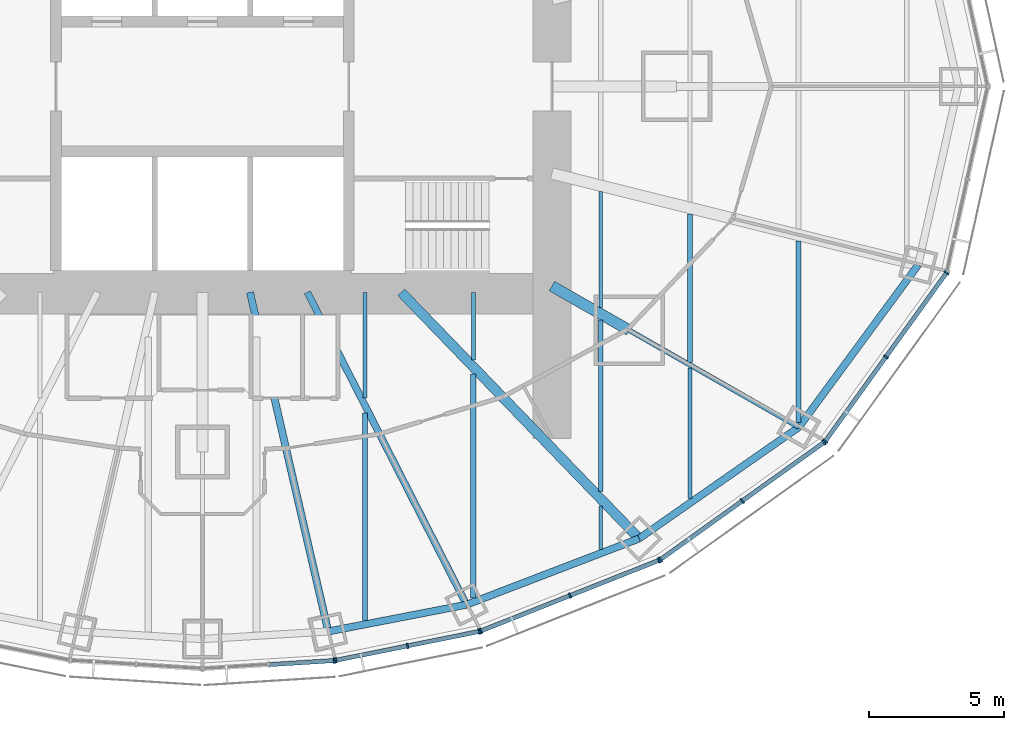
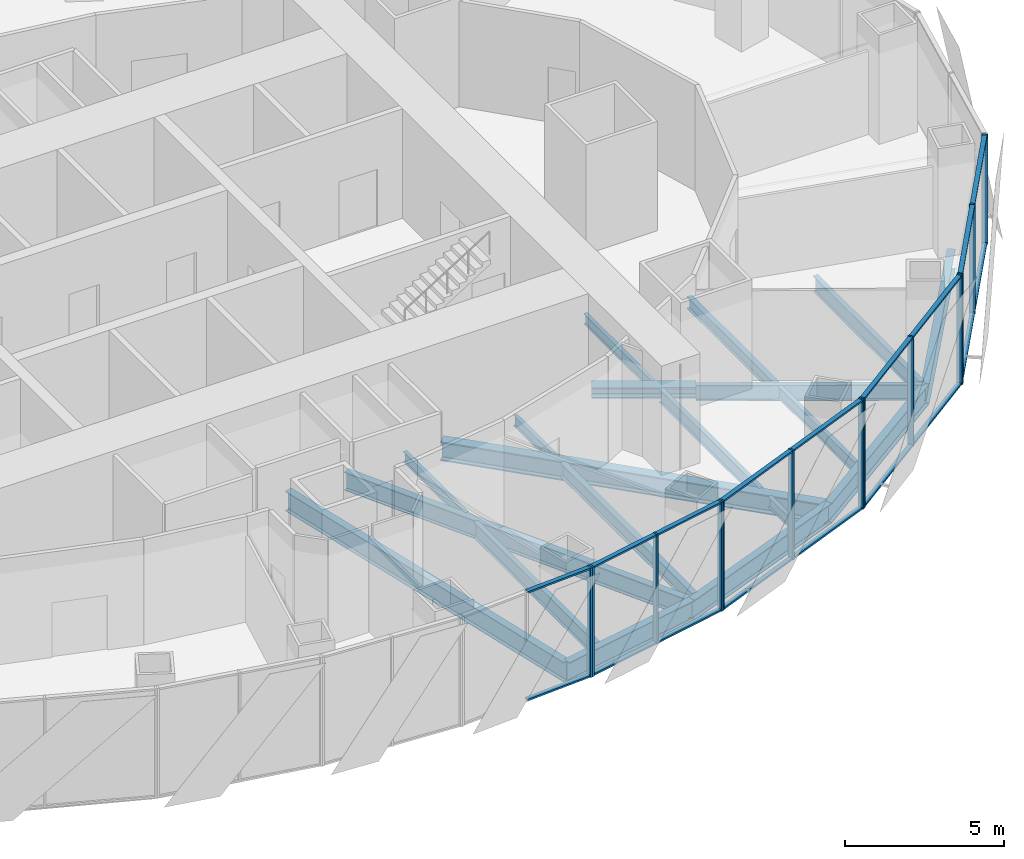
# One storey, part 5 of 18: 31 members, 19 beams, 5 elements without a shape of their own.
"""IFC4 building model written with IfcOpenShell, lengths in metres."""

from ifc_helpers import new_model, si_unit, direction, frame, origin, origin_2d, place, context, subcontext, project, spatial, rectangle, i_section, extrude, material, material_profile, profile_set, type_object, element, aggregate, save


model = new_model("IFC4")

# Units and contexts
model_context = context("Model", 3, precision=1e-05, world=origin(), true_north=direction((0.0, 1.0)))
body_context = subcontext(model_context, "Body", "Model", "MODEL_VIEW")
ifc_project = project(units=[si_unit("LENGTHUNIT", "METRE"), si_unit("AREAUNIT", "SQUARE_METRE"), si_unit("VOLUMEUNIT", "CUBIC_METRE"), si_unit("PLANEANGLEUNIT", "RADIAN"), si_unit("MASSUNIT", "GRAM", prefix="KILO")], contexts=[model_context])

# Site, building, storey
site_placement = place(None, origin())
site = spatial("IfcSite", under=ifc_project, at=site_placement, CompositionType="ELEMENT")
building_placement = place(site_placement, origin())
building = spatial("IfcBuilding", under=site, at=building_placement, Name="Lantaw Convention Tower", CompositionType="ELEMENT")
storey_placement = place(building_placement, frame((0.0, 0.0, 142.60009765625)))
storey = spatial("IfcBuildingStorey", under=building, at=storey_placement, Name="L33", CompositionType="ELEMENT", Elevation=142.60009765625)

# Beams
ifc_material_1 = material(Name="Steel ASTM A992", Category="steel")
ifc_material_profile_1 = material_profile(ifc_material_1, i_section(OverallWidth=0.2666015625, OverallDepth=0.76953125, WebThickness=0.015625, FlangeThickness=0.025390625, FilletRadius=0.0126953125, at=origin_2d()), Name="W30X132")
ifc_profile_set_1 = profile_set([ifc_material_profile_1], Name="Steel ASTM A992")
beam_type_1 = type_object("IfcBeamType", Name="Beam E W30X132", PredefinedType="SPANDREL", material=ifc_profile_set_1)
beam_1_placement = place(storey_placement, frame((4.64501953125, -20.1201171875, -0.534912109375), z_axis=(0.981796805654, 0.189934284446, 0.0), x_axis=(-0.189934284446, 0.981796805654, 0.0)))
element("IfcBeam", 1, at=beam_1_placement, inside=storey, type_object=beam_type_1, Name="Edge beam 20", PredefinedType="SPANDREL", context=body_context, shape_type="SweptSolid", body=[
    extrude(i_section(OverallWidth=0.2666015625, OverallDepth=0.76953125, WebThickness=0.015625, FlangeThickness=0.025390625, FilletRadius=0.0126953125, at=origin_2d()), origin(), (0.0, 0.0, 1.0), 5.1982421875),
])
beam_2_placement = place(storey_placement, frame((9.74853515625, -19.1328125, -0.534912109375), z_axis=(0.933691081977, 0.358079549033, 0.0), x_axis=(-0.358079549033, 0.933691081977, 0.0)))
element("IfcBeam", 2, at=beam_2_placement, inside=storey, type_object=beam_type_1, Name="Edge beam 21", PredefinedType="SPANDREL", context=body_context, shape_type="SweptSolid", body=[
    extrude(i_section(OverallWidth=0.2666015625, OverallDepth=0.76953125, WebThickness=0.015625, FlangeThickness=0.025390625, FilletRadius=0.0126953125, at=origin_2d()), origin(), (0.0, 0.0, 1.0), 6.821533203125),
])
beam_3_placement = place(storey_placement, frame((16.11767578125, -16.690185546875, -0.534912109375), z_axis=(0.820310765287, 0.57191804339, 0.0), x_axis=(-0.57191804339, 0.820310765287, 0.0)))
element("IfcBeam", 3, at=beam_3_placement, inside=storey, type_object=beam_type_1, Name="Edge beam 22", PredefinedType="SPANDREL", context=body_context, shape_type="SweptSolid", body=[
    extrude(i_section(OverallWidth=0.2666015625, OverallDepth=0.76953125, WebThickness=0.015625, FlangeThickness=0.025390625, FilletRadius=0.0126953125, at=origin_2d()), origin(), (0.0, 0.0, 1.0), 7.187744140625),
])
beam_4_placement = place(storey_placement, frame((22.013916015625, -12.579345703125, -0.534912109375), z_axis=(0.5923891972, 0.805651934176, 0.0), x_axis=(-0.805651934176, 0.5923891972, 0.0)))
element("IfcBeam", 4, at=beam_4_placement, inside=storey, type_object=beam_type_1, Name="Edge beam 23", PredefinedType="SPANDREL", context=body_context, shape_type="SweptSolid", body=[
    extrude(i_section(OverallWidth=0.2666015625, OverallDepth=0.76953125, WebThickness=0.015625, FlangeThickness=0.025390625, FilletRadius=0.0126953125, at=origin_2d()), origin(), (0.0, 0.0, 1.0), 7.437744140625),
])
ifc_material_profile_2 = material_profile(ifc_material_1, i_section(OverallWidth=0.177978515625, OverallDepth=0.599365234375, WebThickness=0.010009765625, FlangeThickness=0.012939453125, FilletRadius=0.012939453125, at=origin_2d()), Name="W24X55")
ifc_profile_set_2 = profile_set([ifc_material_profile_2], Name="Steel ASTM A992")
beam_type_2 = type_object("IfcBeamType", Name="Beam G W24X55", PredefinedType="BEAM", material=ifc_profile_set_2)
beam_5_placement = place(storey_placement, frame((15.75, -9.0, -0.44970703125), z_axis=(0.868245224608, -0.496135293993, 0.0), x_axis=(0.496135293993, 0.868245224608, 0.0)))
element("IfcBeam", 5, at=beam_5_placement, inside=storey, type_object=beam_type_2, Name="Floor girder on ray 23", PredefinedType="BEAM", context=body_context, shape_type="SweptSolid", body=[
    extrude(i_section(OverallWidth=0.177978515625, OverallDepth=0.599365234375, WebThickness=0.010009765625, FlangeThickness=0.012939453125, FilletRadius=0.012939453125, at=origin_2d()), origin(), (0.0, 0.0, 1.0), 7.21435546875),
])
ifc_material_profile_3 = material_profile(ifc_material_1, i_section(OverallWidth=0.25390625, OverallDepth=0.700927734375, WebThickness=0.015380859375, FlangeThickness=0.02783203125, FilletRadius=0.01513671875, at=origin_2d()), Name="W27X129")
ifc_profile_set_3 = profile_set([ifc_material_profile_3], Name="Steel ASTM A992")
beam_type_3 = type_object("IfcBeamType", Name="Beam G W27X129", PredefinedType="BEAM", material=ifc_profile_set_3)
beam_6_placement = place(storey_placement, frame((3.872314453125, -7.60009765625, -0.500732421875), z_axis=(0.453991051051, -0.891006243281, 0.0), x_axis=(0.891006243281, 0.453991051051, 0.0)))
element("IfcBeam", 6, at=beam_6_placement, inside=storey, type_object=beam_type_3, Name="Floor girder on ray 21", PredefinedType="BEAM", context=body_context, shape_type="SweptSolid", body=[
    extrude(i_section(OverallWidth=0.25390625, OverallDepth=0.700927734375, WebThickness=0.015380859375, FlangeThickness=0.02783203125, FilletRadius=0.01513671875, at=origin_2d()), origin(), (0.0, 0.0, 1.0), 12.943359375),
])
ifc_material_profile_4 = material_profile(ifc_material_1, i_section(OverallWidth=0.360595703125, OverallDepth=0.72900390625, WebThickness=0.023193359375, FlangeThickness=0.041015625, FilletRadius=0.0126953125, at=origin_2d()), Name="W27X235")
ifc_profile_set_4 = profile_set([ifc_material_profile_4], Name="Steel ASTM A992")
beam_type_4 = type_object("IfcBeamType", Name="Beam G W27X235", PredefinedType="BEAM", material=ifc_profile_set_4)
beam_7_placement = place(storey_placement, frame((7.33935546875, -7.60009765625, -0.5146484375), z_axis=(0.694663467407, -0.719334878239, 0.0), x_axis=(0.719334878239, 0.694663467407, 0.0)))
element("IfcBeam", 7, at=beam_7_placement, inside=storey, type_object=beam_type_4, Name="Floor girder on ray 22", PredefinedType="BEAM", context=body_context, shape_type="SweptSolid", body=[
    extrude(i_section(OverallWidth=0.360595703125, OverallDepth=0.72900390625, WebThickness=0.023193359375, FlangeThickness=0.041015625, FilletRadius=0.0126953125, at=origin_2d()), origin(), (0.0, 0.0, 1.0), 12.63671875),
])
ifc_material_profile_5 = material_profile(ifc_material_1, i_section(OverallWidth=0.2666015625, OverallDepth=0.7568359375, WebThickness=0.013916015625, FlangeThickness=0.019287109375, FilletRadius=0.0126953125, at=origin_2d()), Name="W30X108")
ifc_profile_set_5 = profile_set([ifc_material_profile_5], Name="Steel ASTM A992")
beam_type_5 = type_object("IfcBeamType", Name="Beam G W30X108", PredefinedType="BEAM", material=ifc_profile_set_5)
beam_8_placement = place(storey_placement, frame((1.754638671875, -7.60009765625, -0.528564453125), z_axis=(0.224944153104, -0.974371658036, 0.0), x_axis=(0.974371658036, 0.224944153104, 0.0)))
element("IfcBeam", 8, at=beam_8_placement, inside=storey, type_object=beam_type_5, Name="Floor girder on ray 20", PredefinedType="BEAM", context=body_context, shape_type="SweptSolid", body=[
    extrude(i_section(OverallWidth=0.2666015625, OverallDepth=0.7568359375, WebThickness=0.013916015625, FlangeThickness=0.019287109375, FilletRadius=0.0126953125, at=origin_2d()), origin(), (0.0, 0.0, 1.0), 12.849365234375),
])
ifc_material_profile_6 = material_profile(ifc_material_1, i_section(OverallWidth=0.40380859375, OverallDepth=0.406494140625, WebThickness=0.027099609375, FlangeThickness=0.043701171875, FilletRadius=0.01513671875, at=origin_2d()), Name="W14X233")
ifc_profile_set_6 = profile_set([ifc_material_profile_6], Name="Steel ASTM A992")
beam_type_6 = type_object("IfcBeamType", Name="Beam GM W14X233", PredefinedType="BEAM", material=ifc_profile_set_6)
beam_9_placement = place(storey_placement, frame((12.89990234375, -7.371337890625, -0.353271484375), z_axis=(0.868238565244, -0.496146947811, 0.0), x_axis=(0.496146947811, 0.868238565244, 0.0)))
element("IfcBeam", 9, at=beam_9_placement, inside=storey, type_object=beam_type_6, Name="Core link beam on ray 23", PredefinedType="BEAM", context=body_context, shape_type="SweptSolid", body=[
    extrude(i_section(OverallWidth=0.40380859375, OverallDepth=0.406494140625, WebThickness=0.027099609375, FlangeThickness=0.043701171875, FilletRadius=0.01513671875, at=origin_2d()), origin(), (0.0, 0.0, 1.0), 3.28271484375),
])
ifc_material_profile_7 = material_profile(ifc_material_1, i_section(OverallWidth=0.140380859375, OverallDepth=0.40380859375, WebThickness=0.007080078125, FlangeThickness=0.01123046875, FilletRadius=0.01025390625, at=origin_2d()), Name="W16X31")
ifc_profile_set_7 = profile_set([ifc_material_profile_7], Name="Steel ASTM A992")
beam_type_7 = type_object("IfcBeamType", Name="Beam J W16X31", PredefinedType="JOIST", material=ifc_profile_set_7)
beam_10_placement = place(storey_placement, frame((6.0, -11.495849609375, -0.35205078125), z_axis=(0.0, 1.0, 0.0), x_axis=(-1.0, 0.0, 0.0)))
element("IfcBeam", 10, at=beam_10_placement, inside=storey, type_object=beam_type_7, Name="Floor joist", PredefinedType="JOIST", context=body_context, shape_type="SweptSolid", body=[
    extrude(i_section(OverallWidth=0.140380859375, OverallDepth=0.40380859375, WebThickness=0.007080078125, FlangeThickness=0.01123046875, FilletRadius=0.01025390625, at=origin_2d()), origin(), (0.0, 0.0, 1.0), 3.895751953125),
])
beam_11_placement = place(storey_placement, frame((10.0, -10.095703125, -0.35205078125), z_axis=(0.0, 1.0, 0.0), x_axis=(-1.0, 0.0, 0.0)))
element("IfcBeam", 11, at=beam_11_placement, inside=storey, type_object=beam_type_7, Name="Floor joist", PredefinedType="JOIST", context=body_context, shape_type="SweptSolid", body=[
    extrude(i_section(OverallWidth=0.140380859375, OverallDepth=0.40380859375, WebThickness=0.007080078125, FlangeThickness=0.01123046875, FilletRadius=0.01025390625, at=origin_2d()), origin(), (0.0, 0.0, 1.0), 2.49560546875),
])
beam_12_placement = place(storey_placement, frame((14.699951171875, -17.091064453125, -0.35205078125), z_axis=(0.0, 1.0, 0.0), x_axis=(-1.0, 0.0, 0.0)))
element("IfcBeam", 12, at=beam_12_placement, inside=storey, type_object=beam_type_7, Name="Floor joist", PredefinedType="JOIST", context=body_context, shape_type="SweptSolid", body=[
    extrude(i_section(OverallWidth=0.140380859375, OverallDepth=0.40380859375, WebThickness=0.007080078125, FlangeThickness=0.01123046875, FilletRadius=0.01025390625, at=origin_2d()), origin(), (0.0, 0.0, 1.0), 1.609130859375),
])
beam_13_placement = place(storey_placement, frame((14.699951171875, -8.16748046875, -0.35205078125), z_axis=(0.0, 1.0, 0.0), x_axis=(-1.0, 0.0, 0.0)))
element("IfcBeam", 13, at=beam_13_placement, inside=storey, type_object=beam_type_7, Name="Floor joist", PredefinedType="JOIST", context=body_context, shape_type="SweptSolid", body=[
    extrude(i_section(OverallWidth=0.140380859375, OverallDepth=0.40380859375, WebThickness=0.007080078125, FlangeThickness=0.01123046875, FilletRadius=0.01025390625, at=origin_2d()), origin(), (0.0, 0.0, 1.0), 4.28515625),
])
ifc_material_profile_8 = material_profile(ifc_material_1, i_section(OverallWidth=0.15234375, OverallDepth=0.449462890625, WebThickness=0.007568359375, FlangeThickness=0.0107421875, FilletRadius=0.01025390625, at=origin_2d()), Name="W18X35")
ifc_profile_set_8 = profile_set([ifc_material_profile_8], Name="Steel ASTM A992")
beam_type_8 = type_object("IfcBeamType", Name="Beam J W18X35", PredefinedType="JOIST", material=ifc_profile_set_8)
beam_14_placement = place(storey_placement, frame((18.0, -15.21533203125, -0.375), z_axis=(0.0, 1.0, 0.0), x_axis=(-1.0, 0.0, 0.0)))
element("IfcBeam", 14, at=beam_14_placement, inside=storey, type_object=beam_type_8, Name="Floor joist", PredefinedType="JOIST", context=body_context, shape_type="SweptSolid", body=[
    extrude(i_section(OverallWidth=0.15234375, OverallDepth=0.449462890625, WebThickness=0.007568359375, FlangeThickness=0.0107421875, FilletRadius=0.01025390625, at=origin_2d()), origin(), (0.0, 0.0, 1.0), 4.8271484375),
])
ifc_material_profile_9 = material_profile(ifc_material_1, i_section(OverallWidth=0.1904296875, OverallDepth=0.457275390625, WebThickness=0.009033203125, FlangeThickness=0.014404296875, FilletRadius=0.01025390625, at=origin_2d()), Name="W18X50")
ifc_profile_set_9 = profile_set([ifc_material_profile_9], Name="Steel ASTM A992")
beam_type_9 = type_object("IfcBeamType", Name="Beam J W18X50", PredefinedType="JOIST", material=ifc_profile_set_9)
beam_15_placement = place(storey_placement, frame((18.0, -10.18310546875, -0.378662109375), z_axis=(0.0, 1.0, 0.0), x_axis=(-1.0, 0.0, 0.0)))
element("IfcBeam", 15, at=beam_15_placement, inside=storey, type_object=beam_type_9, Name="Floor joist", PredefinedType="JOIST", context=body_context, shape_type="SweptSolid", body=[
    extrude(i_section(OverallWidth=0.1904296875, OverallDepth=0.457275390625, WebThickness=0.009033203125, FlangeThickness=0.014404296875, FilletRadius=0.01025390625, at=origin_2d()), origin(), (0.0, 0.0, 1.0), 5.47802734375),
])
ifc_material_profile_10 = material_profile(ifc_material_1, i_section(OverallWidth=0.1650390625, OverallDepth=0.52587890625, WebThickness=0.0087890625, FlangeThickness=0.011474609375, FilletRadius=0.0126953125, at=origin_2d()), Name="W21X44")
ifc_profile_set_10 = profile_set([ifc_material_profile_10], Name="Steel ASTM A992")
beam_type_10 = type_object("IfcBeamType", Name="Beam J W21X44", PredefinedType="JOIST", material=ifc_profile_set_10)
beam_16_placement = place(storey_placement, frame((14.699951171875, -14.962646484375, -0.4130859375), z_axis=(0.0, 1.0, 0.0), x_axis=(-1.0, 0.0, 0.0)))
element("IfcBeam", 16, at=beam_16_placement, inside=storey, type_object=beam_type_10, Name="Floor joist", PredefinedType="JOIST", context=body_context, shape_type="SweptSolid", body=[
    extrude(i_section(OverallWidth=0.1650390625, OverallDepth=0.52587890625, WebThickness=0.0087890625, FlangeThickness=0.011474609375, FilletRadius=0.0126953125, at=origin_2d()), origin(), (0.0, 0.0, 1.0), 6.330078125),
])
ifc_material_profile_11 = material_profile(ifc_material_1, i_section(OverallWidth=0.2099609375, OverallDepth=0.535888671875, WebThickness=0.010986328125, FlangeThickness=0.017333984375, FilletRadius=0.012939453125, at=origin_2d()), Name="W21X68")
ifc_profile_set_11 = profile_set([ifc_material_profile_11], Name="Steel ASTM A992")
beam_type_11 = type_object("IfcBeamType", Name="Beam J W21X68", PredefinedType="JOIST", material=ifc_profile_set_11)
beam_17_placement = place(storey_placement, frame((10.0, -18.8935546875, -0.41796875), z_axis=(0.0, 1.0, 0.0), x_axis=(-1.0, 0.0, 0.0)))
element("IfcBeam", 17, at=beam_17_placement, inside=storey, type_object=beam_type_11, Name="Floor joist", PredefinedType="JOIST", context=body_context, shape_type="SweptSolid", body=[
    extrude(i_section(OverallWidth=0.2099609375, OverallDepth=0.535888671875, WebThickness=0.010986328125, FlangeThickness=0.017333984375, FilletRadius=0.012939453125, at=origin_2d()), origin(), (0.0, 0.0, 1.0), 8.278564453125),
])
ifc_material_profile_12 = material_profile(ifc_material_1, i_section(OverallWidth=0.177978515625, OverallDepth=0.599365234375, WebThickness=0.010009765625, FlangeThickness=0.012939453125, FilletRadius=0.012939453125, at=origin_2d()), Name="W24X55")
ifc_profile_set_12 = profile_set([ifc_material_profile_12], Name="Steel ASTM A992")
beam_type_12 = type_object("IfcBeamType", Name="Beam J W24X55", PredefinedType="JOIST", material=ifc_profile_set_12)
beam_18_placement = place(storey_placement, frame((6.0, -19.72216796875, -0.44970703125), z_axis=(0.0, 1.0, 0.0), x_axis=(-1.0, 0.0, 0.0)))
element("IfcBeam", 18, at=beam_18_placement, inside=storey, type_object=beam_type_12, Name="Floor joist", PredefinedType="JOIST", context=body_context, shape_type="SweptSolid", body=[
    extrude(i_section(OverallWidth=0.177978515625, OverallDepth=0.599365234375, WebThickness=0.010009765625, FlangeThickness=0.012939453125, FilletRadius=0.012939453125, at=origin_2d()), origin(), (0.0, 0.0, 1.0), 7.666748046875),
])
beam_19_placement = place(storey_placement, frame((22.0, -12.408935546875, -0.44970703125), z_axis=(0.0, 1.0, 0.0), x_axis=(-1.0, 0.0, 0.0)))
element("IfcBeam", 19, at=beam_19_placement, inside=storey, type_object=beam_type_12, Name="Floor joist", PredefinedType="JOIST", context=body_context, shape_type="SweptSolid", body=[
    extrude(i_section(OverallWidth=0.177978515625, OverallDepth=0.599365234375, WebThickness=0.010009765625, FlangeThickness=0.012939453125, FilletRadius=0.012939453125, at=origin_2d()), origin(), (0.0, 0.0, 1.0), 6.70654296875),
])

# Curtain wall, member
ifc_material_2 = material(Name="Aluminium framed curtain wall", Category="aluminium")
curtain_wall_type = type_object("IfcCurtainWallType", Name="Office curtain wall low rise, pale aluminium", PredefinedType="USERDEFINED", material=ifc_material_2)
curtain_wall_1_placement = place(storey_placement, origin())
curtain_wall_1 = element("IfcCurtainWall", 20, at=curtain_wall_1_placement, inside=storey, type_object=curtain_wall_type, Name="Office curtain wall low rise, pale aluminium L33", ObjectType="UNITISED CURTAIN WALL", PredefinedType="USERDEFINED")
ifc_material_3 = material(Name="Aluminium 6063-T6", Category="aluminium")
ifc_material_profile_13 = material_profile(ifc_material_3, rectangle(XDim=0.199951171875, YDim=0.06494140625, at=origin_2d()), Name="CW-O1 mullion 65x200")
ifc_profile_set_13 = profile_set([ifc_material_profile_13], Name="Aluminium 6063-T6")
member_type_1 = type_object("IfcMemberType", Name="CW-O1 mullion 65x200", PredefinedType="MULLION", material=ifc_profile_set_13)
member_1_placement = place(storey_placement, frame((4.860107421875, -21.19384765625, -0.150146484375), z_axis=(0.0, 0.0, 1.0), x_axis=(-0.062865059466, 0.998022035978, 0.0)))
member_1 = element("IfcMember", 21, at=member_1_placement, type_object=member_type_1, Name="CW-O1 mullion 3", PredefinedType="MULLION", context=body_context, shape_type="SweptSolid", body=[
    extrude(rectangle(XDim=0.199951171875, YDim=0.06494140625, at=origin_2d()), origin(), (0.0, 0.0, 1.0), 4.199951171875),
])

# Curtain wall, members
curtain_wall_2_placement = place(storey_placement, origin())
curtain_wall_2 = element("IfcCurtainWall", 22, at=curtain_wall_2_placement, inside=storey, type_object=curtain_wall_type, Name="Office curtain wall low rise, pale aluminium L33", ObjectType="UNITISED CURTAIN WALL", PredefinedType="USERDEFINED")
member_2_placement = place(storey_placement, frame((4.92431640625, -21.185302734375, -0.150146484375), z_axis=(0.0, 0.0, 1.0), x_axis=(-0.197506809659, 0.980301514912, 0.0)))
member_2 = element("IfcMember", 23, at=member_2_placement, type_object=member_type_1, Name="CW-O1 mullion 1", PredefinedType="MULLION", context=body_context, shape_type="SweptSolid", body=[
    extrude(rectangle(XDim=0.199951171875, YDim=0.06494140625, at=origin_2d()), origin(), (0.0, 0.0, 1.0), 4.199951171875),
])
member_3_placement = place(storey_placement, frame((7.5703125, -20.65234375, -0.150146484375), z_axis=(0.0, 0.0, 1.0), x_axis=(-0.197506809659, 0.980301514912, 0.0)))
member_3 = element("IfcMember", 24, at=member_3_placement, type_object=member_type_1, Name="CW-O1 mullion 2", PredefinedType="MULLION", context=body_context, shape_type="SweptSolid", body=[
    extrude(rectangle(XDim=0.199951171875, YDim=0.06494140625, at=origin_2d()), origin(), (0.0, 0.0, 1.0), 4.199951171875),
])
member_4_placement = place(storey_placement, frame((10.216064453125, -20.119140625, -0.150146484375), z_axis=(0.0, 0.0, 1.0), x_axis=(-0.197506809659, 0.980301514912, 0.0)))
member_4 = element("IfcMember", 25, at=member_4_placement, type_object=member_type_1, Name="CW-O1 mullion 3", PredefinedType="MULLION", context=body_context, shape_type="SweptSolid", body=[
    extrude(rectangle(XDim=0.199951171875, YDim=0.06494140625, at=origin_2d()), origin(), (0.0, 0.0, 1.0), 4.199951171875),
])

curtain_wall_3_placement = place(storey_placement, origin())
curtain_wall_3 = element("IfcCurtainWall", 26, at=curtain_wall_3_placement, inside=storey, type_object=curtain_wall_type, Name="Office curtain wall low rise, pale aluminium L33", ObjectType="UNITISED CURTAIN WALL", PredefinedType="USERDEFINED")
member_5_placement = place(storey_placement, frame((10.2783203125, -20.100830078125, -0.150146484375), z_axis=(0.0, 0.0, 1.0), x_axis=(-0.368701907483, 0.929547687544, 0.0)))
member_5 = element("IfcMember", 27, at=member_5_placement, type_object=member_type_1, Name="CW-O1 mullion 1", PredefinedType="MULLION", context=body_context, shape_type="SweptSolid", body=[
    extrude(rectangle(XDim=0.199951171875, YDim=0.06494140625, at=origin_2d()), origin(), (0.0, 0.0, 1.0), 4.199951171875),
])
member_6_placement = place(storey_placement, frame((13.56494140625, -18.797119140625, -0.150146484375), z_axis=(0.0, 0.0, 1.0), x_axis=(-0.368701907483, 0.929547687544, 0.0)))
member_6 = element("IfcMember", 28, at=member_6_placement, type_object=member_type_1, Name="CW-O1 mullion 2", PredefinedType="MULLION", context=body_context, shape_type="SweptSolid", body=[
    extrude(rectangle(XDim=0.199951171875, YDim=0.06494140625, at=origin_2d()), origin(), (0.0, 0.0, 1.0), 4.199951171875),
])
member_7_placement = place(storey_placement, frame((16.8515625, -17.49365234375, -0.150146484375), z_axis=(0.0, 0.0, 1.0), x_axis=(-0.368701907483, 0.929547687544, 0.0)))
member_7 = element("IfcMember", 29, at=member_7_placement, type_object=member_type_1, Name="CW-O1 mullion 3", PredefinedType="MULLION", context=body_context, shape_type="SweptSolid", body=[
    extrude(rectangle(XDim=0.199951171875, YDim=0.06494140625, at=origin_2d()), origin(), (0.0, 0.0, 1.0), 4.199951171875),
])

curtain_wall_4_placement = place(storey_placement, origin())
curtain_wall_4 = element("IfcCurtainWall", 30, at=curtain_wall_4_placement, inside=storey, type_object=curtain_wall_type, Name="Office curtain wall low rise, pale aluminium L33", ObjectType="UNITISED CURTAIN WALL", PredefinedType="USERDEFINED")
member_8_placement = place(storey_placement, frame((16.908203125, -17.462646484375, -0.150146484375), z_axis=(0.0, 0.0, 1.0), x_axis=(-0.581972695693, 0.813208325995, 0.0)))
member_8 = element("IfcMember", 31, at=member_8_placement, type_object=member_type_1, Name="CW-O1 mullion 1", PredefinedType="MULLION", context=body_context, shape_type="SweptSolid", body=[
    extrude(rectangle(XDim=0.199951171875, YDim=0.06494140625, at=origin_2d()), origin(), (0.0, 0.0, 1.0), 4.199951171875),
])
member_9_placement = place(storey_placement, frame((19.92529296875, -15.303466796875, -0.150146484375), z_axis=(0.0, 0.0, 1.0), x_axis=(-0.581972695693, 0.813208325995, 0.0)))
member_9 = element("IfcMember", 32, at=member_9_placement, type_object=member_type_1, Name="CW-O1 mullion 2", PredefinedType="MULLION", context=body_context, shape_type="SweptSolid", body=[
    extrude(rectangle(XDim=0.199951171875, YDim=0.06494140625, at=origin_2d()), origin(), (0.0, 0.0, 1.0), 4.199951171875),
])
member_10_placement = place(storey_placement, frame((22.942626953125, -13.14404296875, -0.150146484375), z_axis=(0.0, 0.0, 1.0), x_axis=(-0.581972695693, 0.813208325995, 0.0)))
member_10 = element("IfcMember", 33, at=member_10_placement, type_object=member_type_1, Name="CW-O1 mullion 3", PredefinedType="MULLION", context=body_context, shape_type="SweptSolid", body=[
    extrude(rectangle(XDim=0.199951171875, YDim=0.06494140625, at=origin_2d()), origin(), (0.0, 0.0, 1.0), 4.199951171875),
])

curtain_wall_5_placement = place(storey_placement, origin())
curtain_wall_5 = element("IfcCurtainWall", 34, at=curtain_wall_5_placement, inside=storey, type_object=curtain_wall_type, Name="Office curtain wall low rise, pale aluminium L33", ObjectType="UNITISED CURTAIN WALL", PredefinedType="USERDEFINED")
member_11_placement = place(storey_placement, frame((22.988037109375, -13.098876953125, -0.150146484375), z_axis=(0.0, 0.0, 1.0), x_axis=(-0.811384633629, 0.584512597221, 0.0)))
member_11 = element("IfcMember", 35, at=member_11_placement, type_object=member_type_1, Name="CW-O1 mullion 1", PredefinedType="MULLION", context=body_context, shape_type="SweptSolid", body=[
    extrude(rectangle(XDim=0.199951171875, YDim=0.06494140625, at=origin_2d()), origin(), (0.0, 0.0, 1.0), 4.199951171875),
])
member_12_placement = place(storey_placement, frame((25.22802734375, -9.9892578125, -0.150146484375), z_axis=(0.0, 0.0, 1.0), x_axis=(-0.811384633629, 0.584512597221, 0.0)))
member_12 = element("IfcMember", 36, at=member_12_placement, type_object=member_type_1, Name="CW-O1 mullion 2", PredefinedType="MULLION", context=body_context, shape_type="SweptSolid", body=[
    extrude(rectangle(XDim=0.199951171875, YDim=0.06494140625, at=origin_2d()), origin(), (0.0, 0.0, 1.0), 4.199951171875),
])
member_13_placement = place(storey_placement, frame((27.46826171875, -6.879638671875, -0.150146484375), z_axis=(0.0, 0.0, 1.0), x_axis=(-0.811384633629, 0.584512597221, 0.0)))
member_13 = element("IfcMember", 37, at=member_13_placement, type_object=member_type_1, Name="CW-O1 mullion 3", PredefinedType="MULLION", context=body_context, shape_type="SweptSolid", body=[
    extrude(rectangle(XDim=0.199951171875, YDim=0.06494140625, at=origin_2d()), origin(), (0.0, 0.0, 1.0), 4.199951171875),
])

# Member
ifc_material_profile_14 = material_profile(ifc_material_3, rectangle(XDim=0.159912109375, YDim=0.06494140625, at=origin_2d()), Name="CW-O1 transom 65x160")
ifc_profile_set_14 = profile_set([ifc_material_profile_14], Name="Aluminium 6063-T6")
member_type_2 = type_object("IfcMemberType", Name="CW-O1 transom 65x160", PredefinedType="USERDEFINED", material=ifc_profile_set_14)
member_14_placement = place(storey_placement, frame((2.478759765625, -21.34375, -0.11767578125), z_axis=(0.998022188463, 0.062862638625, 0.0), x_axis=(-0.062862638625, 0.998022188463, 0.0)))
member_14 = element("IfcMember", 38, at=member_14_placement, type_object=member_type_2, Name="CW-O1 transom 2.1", ObjectType="TRANSOM", PredefinedType="USERDEFINED", context=body_context, shape_type="SweptSolid", body=[
    extrude(rectangle(XDim=0.159912109375, YDim=0.06494140625, at=origin_2d()), origin(), (0.0, 0.0, 1.0), 2.353515625),
])

member_15_placement = place(storey_placement, frame((2.478759765625, -21.34375, 4.017333984375), z_axis=(0.998022188463, 0.062862638625, 0.0), x_axis=(-0.062862638625, 0.998022188463, 0.0)))
member_15 = element("IfcMember", 39, at=member_15_placement, type_object=member_type_2, Name="CW-O1 transom 2.2", ObjectType="TRANSOM", PredefinedType="USERDEFINED", context=body_context, shape_type="SweptSolid", body=[
    extrude(rectangle(XDim=0.159912109375, YDim=0.06494140625, at=origin_2d()), origin(), (0.0, 0.0, 1.0), 2.353515625),
])

aggregate(curtain_wall_1, [member_1, member_14, member_15])

member_16_placement = place(storey_placement, frame((4.956298828125, -21.178955078125, -0.11767578125), z_axis=(0.980298027092, 0.197524120247, 0.0), x_axis=(-0.197524120247, 0.980298027092, 0.0)))
member_16 = element("IfcMember", 40, at=member_16_placement, type_object=member_type_2, Name="CW-O1 transom 1.1", ObjectType="TRANSOM", PredefinedType="USERDEFINED", context=body_context, shape_type="SweptSolid", body=[
    extrude(rectangle(XDim=0.159912109375, YDim=0.06494140625, at=origin_2d()), origin(), (0.0, 0.0, 1.0), 2.634033203125),
])

member_17_placement = place(storey_placement, frame((4.956298828125, -21.178955078125, 4.017333984375), z_axis=(0.980298027092, 0.197524120247, 0.0), x_axis=(-0.197524120247, 0.980298027092, 0.0)))
member_17 = element("IfcMember", 41, at=member_17_placement, type_object=member_type_2, Name="CW-O1 transom 1.2", ObjectType="TRANSOM", PredefinedType="USERDEFINED", context=body_context, shape_type="SweptSolid", body=[
    extrude(rectangle(XDim=0.159912109375, YDim=0.06494140625, at=origin_2d()), origin(), (0.0, 0.0, 1.0), 2.634033203125),
])

member_18_placement = place(storey_placement, frame((7.60205078125, -20.64599609375, -0.11767578125), z_axis=(0.980301643003, 0.197506173891, 0.0), x_axis=(-0.197506173891, 0.980301643003, 0.0)))
member_18 = element("IfcMember", 42, at=member_18_placement, type_object=member_type_2, Name="CW-O1 transom 2.1", ObjectType="TRANSOM", PredefinedType="USERDEFINED", context=body_context, shape_type="SweptSolid", body=[
    extrude(rectangle(XDim=0.159912109375, YDim=0.06494140625, at=origin_2d()), origin(), (0.0, 0.0, 1.0), 2.63427734375),
])

member_19_placement = place(storey_placement, frame((7.60205078125, -20.64599609375, 4.017333984375), z_axis=(0.980301643003, 0.197506173891, 0.0), x_axis=(-0.197506173891, 0.980301643003, 0.0)))
member_19 = element("IfcMember", 43, at=member_19_placement, type_object=member_type_2, Name="CW-O1 transom 2.2", ObjectType="TRANSOM", PredefinedType="USERDEFINED", context=body_context, shape_type="SweptSolid", body=[
    extrude(rectangle(XDim=0.159912109375, YDim=0.06494140625, at=origin_2d()), origin(), (0.0, 0.0, 1.0), 2.63427734375),
])

aggregate(curtain_wall_2, [member_2, member_3, member_4, member_16, member_17, member_18, member_19])

member_20_placement = place(storey_placement, frame((10.308349609375, -20.0888671875, -0.11767578125), z_axis=(0.929540081544, 0.368721082668, 0.0), x_axis=(-0.368721082668, 0.929540081544, 0.0)))
member_20 = element("IfcMember", 44, at=member_20_placement, type_object=member_type_2, Name="CW-O1 transom 1.1", ObjectType="TRANSOM", PredefinedType="USERDEFINED", context=body_context, shape_type="SweptSolid", body=[
    extrude(rectangle(XDim=0.159912109375, YDim=0.06494140625, at=origin_2d()), origin(), (0.0, 0.0, 1.0), 3.470947265625),
])

member_21_placement = place(storey_placement, frame((10.308349609375, -20.0888671875, 4.017333984375), z_axis=(0.929540081544, 0.368721082668, 0.0), x_axis=(-0.368721082668, 0.929540081544, 0.0)))
member_21 = element("IfcMember", 45, at=member_21_placement, type_object=member_type_2, Name="CW-O1 transom 1.2", ObjectType="TRANSOM", PredefinedType="USERDEFINED", context=body_context, shape_type="SweptSolid", body=[
    extrude(rectangle(XDim=0.159912109375, YDim=0.06494140625, at=origin_2d()), origin(), (0.0, 0.0, 1.0), 3.470947265625),
])

member_22_placement = place(storey_placement, frame((13.594970703125, -18.78515625, -0.11767578125), z_axis=(0.929564188507, 0.368660303592, 0.0), x_axis=(-0.368660303592, 0.929564188507, 0.0)))
member_22 = element("IfcMember", 46, at=member_22_placement, type_object=member_type_2, Name="CW-O1 transom 2.1", ObjectType="TRANSOM", PredefinedType="USERDEFINED", context=body_context, shape_type="SweptSolid", body=[
    extrude(rectangle(XDim=0.159912109375, YDim=0.06494140625, at=origin_2d()), origin(), (0.0, 0.0, 1.0), 3.470703125),
])

member_23_placement = place(storey_placement, frame((13.594970703125, -18.78515625, 4.017333984375), z_axis=(0.929564188507, 0.368660303592, 0.0), x_axis=(-0.368660303592, 0.929564188507, 0.0)))
member_23 = element("IfcMember", 47, at=member_23_placement, type_object=member_type_2, Name="CW-O1 transom 2.2", ObjectType="TRANSOM", PredefinedType="USERDEFINED", context=body_context, shape_type="SweptSolid", body=[
    extrude(rectangle(XDim=0.159912109375, YDim=0.06494140625, at=origin_2d()), origin(), (0.0, 0.0, 1.0), 3.470703125),
])

aggregate(curtain_wall_3, [member_5, member_6, member_7, member_20, member_21, member_22, member_23])

member_24_placement = place(storey_placement, frame((16.9345703125, -17.44384765625, -0.11767578125), z_axis=(0.813190089133, 0.581998177777, 0.0), x_axis=(-0.581998177777, 0.813190089133, 0.0)))
member_24 = element("IfcMember", 48, at=member_24_placement, type_object=member_type_2, Name="CW-O1 transom 1.1", ObjectType="TRANSOM", PredefinedType="USERDEFINED", context=body_context, shape_type="SweptSolid", body=[
    extrude(rectangle(XDim=0.159912109375, YDim=0.06494140625, at=origin_2d()), origin(), (0.0, 0.0, 1.0), 3.645263671875),
])

member_25_placement = place(storey_placement, frame((16.9345703125, -17.44384765625, 4.017333984375), z_axis=(0.813190089133, 0.581998177777, 0.0), x_axis=(-0.581998177777, 0.813190089133, 0.0)))
member_25 = element("IfcMember", 49, at=member_25_placement, type_object=member_type_2, Name="CW-O1 transom 1.2", ObjectType="TRANSOM", PredefinedType="USERDEFINED", context=body_context, shape_type="SweptSolid", body=[
    extrude(rectangle(XDim=0.159912109375, YDim=0.06494140625, at=origin_2d()), origin(), (0.0, 0.0, 1.0), 3.645263671875),
])

member_26_placement = place(storey_placement, frame((19.951904296875, -15.284423828125, -0.11767578125), z_axis=(0.813221785972, 0.581953887194, 0.0), x_axis=(-0.581953887194, 0.813221785972, 0.0)))
member_26 = element("IfcMember", 50, at=member_26_placement, type_object=member_type_2, Name="CW-O1 transom 2.1", ObjectType="TRANSOM", PredefinedType="USERDEFINED", context=body_context, shape_type="SweptSolid", body=[
    extrude(rectangle(XDim=0.159912109375, YDim=0.06494140625, at=origin_2d()), origin(), (0.0, 0.0, 1.0), 3.645263671875),
])

member_27_placement = place(storey_placement, frame((19.951904296875, -15.284423828125, 4.017333984375), z_axis=(0.813221785972, 0.581953887194, 0.0), x_axis=(-0.581953887194, 0.813221785972, 0.0)))
member_27 = element("IfcMember", 51, at=member_27_placement, type_object=member_type_2, Name="CW-O1 transom 2.2", ObjectType="TRANSOM", PredefinedType="USERDEFINED", context=body_context, shape_type="SweptSolid", body=[
    extrude(rectangle(XDim=0.159912109375, YDim=0.06494140625, at=origin_2d()), origin(), (0.0, 0.0, 1.0), 3.645263671875),
])

aggregate(curtain_wall_4, [member_8, member_9, member_10, member_24, member_25, member_26, member_27])

member_28_placement = place(storey_placement, frame((23.007080078125, -13.072509765625, -0.11767578125), z_axis=(0.584512973979, 0.811384362217, 0.0), x_axis=(-0.811384362217, 0.584512973979, 0.0)))
member_28 = element("IfcMember", 52, at=member_28_placement, type_object=member_type_2, Name="CW-O1 transom 1.1", ObjectType="TRANSOM", PredefinedType="USERDEFINED", context=body_context, shape_type="SweptSolid", body=[
    extrude(rectangle(XDim=0.159912109375, YDim=0.06494140625, at=origin_2d()), origin(), (0.0, 0.0, 1.0), 3.767578125),
])

member_29_placement = place(storey_placement, frame((23.007080078125, -13.072509765625, 4.017333984375), z_axis=(0.584512973979, 0.811384362217, 0.0), x_axis=(-0.811384362217, 0.584512973979, 0.0)))
member_29 = element("IfcMember", 53, at=member_29_placement, type_object=member_type_2, Name="CW-O1 transom 1.2", ObjectType="TRANSOM", PredefinedType="USERDEFINED", context=body_context, shape_type="SweptSolid", body=[
    extrude(rectangle(XDim=0.159912109375, YDim=0.06494140625, at=origin_2d()), origin(), (0.0, 0.0, 1.0), 3.767578125),
])

member_30_placement = place(storey_placement, frame((25.2470703125, -9.962890625, -0.11767578125), z_axis=(0.584512973979, 0.811384362217, 0.0), x_axis=(-0.811384362217, 0.584512973979, 0.0)))
member_30 = element("IfcMember", 54, at=member_30_placement, type_object=member_type_2, Name="CW-O1 transom 2.1", ObjectType="TRANSOM", PredefinedType="USERDEFINED", context=body_context, shape_type="SweptSolid", body=[
    extrude(rectangle(XDim=0.159912109375, YDim=0.06494140625, at=origin_2d()), origin(), (0.0, 0.0, 1.0), 3.767578125),
])

member_31_placement = place(storey_placement, frame((25.2470703125, -9.962890625, 4.017333984375), z_axis=(0.584512973979, 0.811384362217, 0.0), x_axis=(-0.811384362217, 0.584512973979, 0.0)))
member_31 = element("IfcMember", 55, at=member_31_placement, type_object=member_type_2, Name="CW-O1 transom 2.2", ObjectType="TRANSOM", PredefinedType="USERDEFINED", context=body_context, shape_type="SweptSolid", body=[
    extrude(rectangle(XDim=0.159912109375, YDim=0.06494140625, at=origin_2d()), origin(), (0.0, 0.0, 1.0), 3.767578125),
])

aggregate(curtain_wall_5, [member_11, member_12, member_13, member_28, member_29, member_30, member_31])

save(model, "model.ifc")
